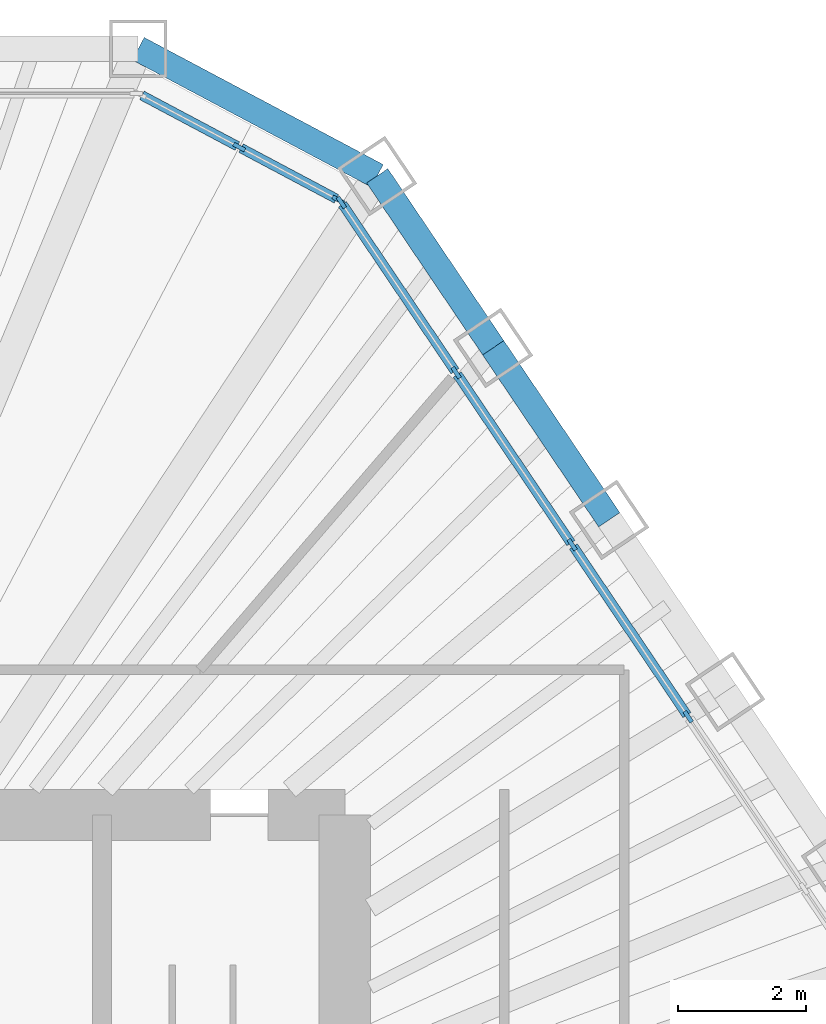
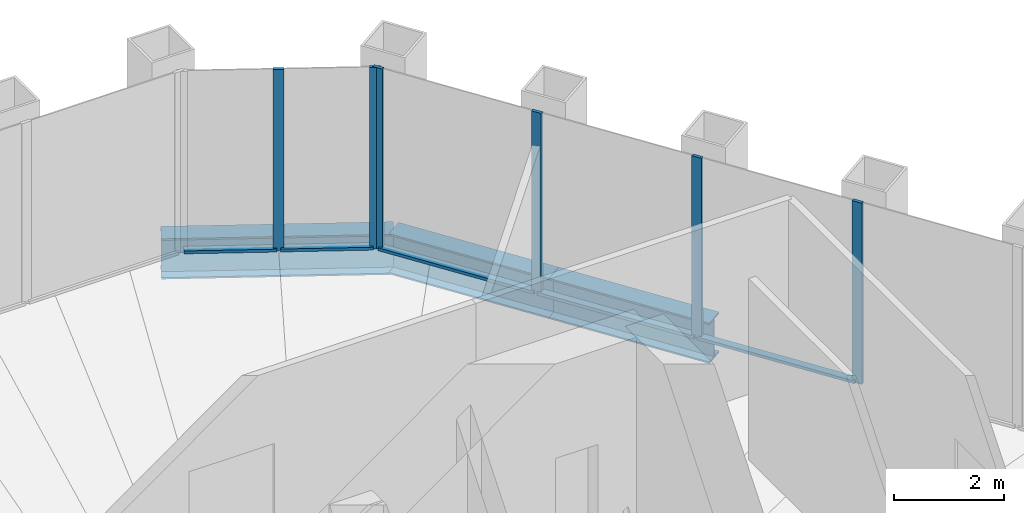
# One storey, part 8 of 14: 11 members, 3 beams, 2 elements without a shape of their own.
"""IFC4 building model written with IfcOpenShell, lengths in metres."""

from ifc_helpers import new_model, si_unit, direction, frame, origin, origin_2d, place, context, subcontext, project, spatial, rectangle, i_section, extrude, material, material_profile, profile_set, type_object, element, aggregate, save


model = new_model("IFC4")

# Units and contexts
model_context = context("Model", 3, precision=1e-05, world=origin(), true_north=direction((0.0, 1.0)))
body_context = subcontext(model_context, "Body", "Model", "MODEL_VIEW")
ifc_project = project(units=[si_unit("LENGTHUNIT", "METRE"), si_unit("AREAUNIT", "SQUARE_METRE"), si_unit("VOLUMEUNIT", "CUBIC_METRE"), si_unit("PLANEANGLEUNIT", "RADIAN"), si_unit("MASSUNIT", "GRAM", prefix="KILO")], contexts=[model_context])

# Site, building, storey
site_placement = place(None, origin())
site = spatial("IfcSite", under=ifc_project, at=site_placement, CompositionType="ELEMENT")
building_placement = place(site_placement, origin())
building = spatial("IfcBuilding", under=site, at=building_placement, Name="Qingtian Harvest Tower", CompositionType="ELEMENT")
storey_placement = place(building_placement, frame((0.0, 0.0, 308.199951171875)))
storey = spatial("IfcBuildingStorey", under=building, at=storey_placement, Name="L68", CompositionType="ELEMENT", Elevation=308.199951171875)

# Curtain wall, members
ifc_material_1 = material(Name="Bronze-anodised aluminium curtain wall", Category="aluminium")
curtain_wall_type = type_object("IfcCurtainWallType", Name="Curtain wall CW5 upper office", PredefinedType="USERDEFINED", material=ifc_material_1)
curtain_wall_1_placement = place(storey_placement, origin())
curtain_wall_1 = element("IfcCurtainWall", 1, at=curtain_wall_1_placement, inside=storey, type_object=curtain_wall_type, Name="Curtain wall CW5 L68 NC", ObjectType="RECESSED CURTAIN WALL", PredefinedType="USERDEFINED")
ifc_material_2 = material(Name="Bronze-anodised aluminium mullion", Category="aluminium")
ifc_material_profile_1 = material_profile(ifc_material_2, rectangle(XDim=0.06494140625, YDim=0.199951171875, at=origin_2d()), Name="AL 65x200")
ifc_profile_set_1 = profile_set([ifc_material_profile_1], Name="Bronze-anodised aluminium mullion")
member_type_1 = type_object("IfcMemberType", Name="Mullion CWM 65x200", PredefinedType="MULLION", material=ifc_profile_set_1)
member_1_placement = place(storey_placement, frame((10.3466796875, 19.45947265625, 0.0), z_axis=(0.0, 0.0, 1.0), x_axis=(0.469471562786, 0.882947592859, 0.0)))
member_1 = element("IfcMember", 2, at=member_1_placement, type_object=member_type_1, Name="CW5 mullion 2", PredefinedType="MULLION", context=body_context, shape_type="SweptSolid", body=[
    extrude(rectangle(XDim=0.06494140625, YDim=0.199951171875, at=origin_2d()), origin(), (0.0, 0.0, 1.0), 4.030029296875),
])
member_2_placement = place(storey_placement, frame((11.89892578125, 18.634033203125, 0.0), z_axis=(0.0, 0.0, 1.0), x_axis=(0.469471562786, 0.882947592859, 0.0)))
member_2 = element("IfcMember", 3, at=member_2_placement, type_object=member_type_1, Name="CW5 mullion 3", PredefinedType="MULLION", context=body_context, shape_type="SweptSolid", body=[
    extrude(rectangle(XDim=0.06494140625, YDim=0.199951171875, at=origin_2d()), origin(), (0.0, 0.0, 1.0), 4.030029296875),
])

curtain_wall_2_placement = place(storey_placement, origin())
curtain_wall_2 = element("IfcCurtainWall", 4, at=curtain_wall_2_placement, inside=storey, type_object=curtain_wall_type, Name="Curtain wall CW5 L68 NE0-5", ObjectType="RECESSED CURTAIN WALL", PredefinedType="USERDEFINED")
member_3_placement = place(storey_placement, frame((11.94580078125, 18.592041015625, 0.0), z_axis=(0.0, 0.0, 1.0), x_axis=(0.829037572555, 0.559192903471, 0.0)))
member_3 = element("IfcMember", 5, at=member_3_placement, type_object=member_type_1, Name="CW5 mullion 1", PredefinedType="MULLION", context=body_context, shape_type="SweptSolid", body=[
    extrude(rectangle(XDim=0.06494140625, YDim=0.199951171875, at=origin_2d()), origin(), (0.0, 0.0, 1.0), 4.030029296875),
])
member_4_placement = place(storey_placement, frame((13.743896484375, 15.926025390625, 0.0), z_axis=(0.0, 0.0, 1.0), x_axis=(0.829037572555, 0.559192903471, 0.0)))
member_4 = element("IfcMember", 6, at=member_4_placement, type_object=member_type_1, Name="CW5 mullion 2", PredefinedType="MULLION", context=body_context, shape_type="SweptSolid", body=[
    extrude(rectangle(XDim=0.06494140625, YDim=0.199951171875, at=origin_2d()), origin(), (0.0, 0.0, 1.0), 4.030029296875),
])
member_5_placement = place(storey_placement, frame((15.56005859375, 13.2333984375, 0.0), z_axis=(0.0, 0.0, 1.0), x_axis=(0.829037572555, 0.559192903471, 0.0)))
member_5 = element("IfcMember", 7, at=member_5_placement, type_object=member_type_1, Name="CW5 mullion 3", PredefinedType="MULLION", context=body_context, shape_type="SweptSolid", body=[
    extrude(rectangle(XDim=0.06494140625, YDim=0.199951171875, at=origin_2d()), origin(), (0.0, 0.0, 1.0), 4.030029296875),
])
member_6_placement = place(storey_placement, frame((17.37646484375, 10.540771484375, 0.0), z_axis=(0.0, 0.0, 1.0), x_axis=(0.829037572555, 0.559192903471, 0.0)))
member_6 = element("IfcMember", 8, at=member_6_placement, type_object=member_type_1, Name="CW5 mullion 4", PredefinedType="MULLION", context=body_context, shape_type="SweptSolid", body=[
    extrude(rectangle(XDim=0.06494140625, YDim=0.199951171875, at=origin_2d()), origin(), (0.0, 0.0, 1.0), 4.030029296875),
])

# Beams
ifc_material_3 = material(Name="Steel SN490B", Category="steel")
ifc_material_profile_2 = material_profile(ifc_material_3, i_section(OverallWidth=0.39990234375, OverallDepth=0.89990234375, WebThickness=0.01904296875, FlangeThickness=0.035888671875, at=origin_2d()), Name="H900x400x19x36")
ifc_profile_set_2 = profile_set([ifc_material_profile_2], Name="Steel SN490B")
beam_type = type_object("IfcBeamType", Name="Spandrel beam SB4 H900x400x19x36", PredefinedType="SPANDREL", material=ifc_profile_set_2)
beam_1_placement = place(storey_placement, frame((8.765869140625, 21.0, -0.449951171875), z_axis=(0.882948599748, -0.469469669099, 0.0), x_axis=(0.469469669099, 0.882948599748, 0.0)))
element("IfcBeam", 9, at=beam_1_placement, inside=storey, type_object=beam_type, Name="Spandrel SB4 NC", PredefinedType="SPANDREL", context=body_context, shape_type="SweptSolid", body=[
    extrude(i_section(OverallWidth=0.39990234375, OverallDepth=0.89990234375, WebThickness=0.01904296875, FlangeThickness=0.035888671875, at=origin_2d()), origin(), (0.0, 0.0, 1.0), 4.23828125),
])
beam_2_placement = place(storey_placement, frame((12.508056640625, 19.01025390625, -0.449951171875), z_axis=(0.559184924833, -0.829042954158, 0.0), x_axis=(0.829042954158, 0.559184924833, 0.0)))
element("IfcBeam", 10, at=beam_2_placement, inside=storey, type_object=beam_type, Name="Spandrel SB4 NE0", PredefinedType="SPANDREL", context=body_context, shape_type="SweptSolid", body=[
    extrude(i_section(OverallWidth=0.39990234375, OverallDepth=0.89990234375, WebThickness=0.01904296875, FlangeThickness=0.035888671875, at=origin_2d()), origin(), (0.0, 0.0, 1.0), 3.247802734375),
])
beam_3_placement = place(storey_placement, frame((14.32421875, 16.317626953125, -0.449951171875), z_axis=(0.559201740147, -0.829031612073, 0.0), x_axis=(0.829031612073, 0.559201740147, 0.0)))
element("IfcBeam", 11, at=beam_3_placement, inside=storey, type_object=beam_type, Name="Spandrel SB4 NE1", PredefinedType="SPANDREL", context=body_context, shape_type="SweptSolid", body=[
    extrude(i_section(OverallWidth=0.39990234375, OverallDepth=0.89990234375, WebThickness=0.01904296875, FlangeThickness=0.035888671875, at=origin_2d()), origin(), (0.0, 0.0, 1.0), 3.248291015625),
])

# Member
ifc_material_4 = material(Name="Bronze-anodised aluminium transom", Category="aluminium")
ifc_material_profile_3 = material_profile(ifc_material_4, rectangle(XDim=0.14990234375, YDim=0.06494140625, at=origin_2d()), Name="AL 65x150")
ifc_profile_set_3 = profile_set([ifc_material_profile_3], Name="Bronze-anodised aluminium transom")
member_type_2 = type_object("IfcMemberType", Name="Transom CWT 65x150", PredefinedType="USERDEFINED", material=ifc_profile_set_3)
member_7_placement = place(storey_placement, frame((8.8232421875, 20.26953125, 0.032470703125), z_axis=(0.882927080927, -0.469510138086, 0.0), x_axis=(0.469510138086, 0.882927080927, 0.0)))
member_7 = element("IfcMember", 12, at=member_7_placement, type_object=member_type_2, Name="CW5 transom 1.1", ObjectType="TRANSOM", PredefinedType="USERDEFINED", context=body_context, shape_type="SweptSolid", body=[
    extrude(rectangle(XDim=0.14990234375, YDim=0.06494140625, at=origin_2d()), origin(), (0.0, 0.0, 1.0), 1.693115234375),
])

member_8_placement = place(storey_placement, frame((10.37548828125, 19.444091796875, 0.032470703125), z_axis=(0.882986854304, -0.469397715297, 0.0), x_axis=(0.469397715297, 0.882986854304, 0.0)))
member_8 = element("IfcMember", 13, at=member_8_placement, type_object=member_type_2, Name="CW5 transom 2.1", ObjectType="TRANSOM", PredefinedType="USERDEFINED", context=body_context, shape_type="SweptSolid", body=[
    extrude(rectangle(XDim=0.14990234375, YDim=0.06494140625, at=origin_2d()), origin(), (0.0, 0.0, 1.0), 1.69287109375),
])

aggregate(curtain_wall_1, [member_1, member_2, member_7, member_8])

member_9_placement = place(storey_placement, frame((11.9638671875, 18.56494140625, 0.032470703125), z_axis=(0.559251907839, -0.828997770551, 0.0), x_axis=(0.828997770551, 0.559251907839, 0.0)))
member_9 = element("IfcMember", 14, at=member_9_placement, type_object=member_type_2, Name="CW5 transom 1.1", ObjectType="TRANSOM", PredefinedType="USERDEFINED", context=body_context, shape_type="SweptSolid", body=[
    extrude(rectangle(XDim=0.14990234375, YDim=0.06494140625, at=origin_2d()), origin(), (0.0, 0.0, 1.0), 3.150634765625),
])

member_10_placement = place(storey_placement, frame((13.761962890625, 15.899169921875, 0.032470703125), z_axis=(0.55920542009, -0.829029129852, 0.0), x_axis=(0.829029129852, 0.55920542009, 0.0)))
member_10 = element("IfcMember", 15, at=member_10_placement, type_object=member_type_2, Name="CW5 transom 2.1", ObjectType="TRANSOM", PredefinedType="USERDEFINED", context=body_context, shape_type="SweptSolid", body=[
    extrude(rectangle(XDim=0.14990234375, YDim=0.06494140625, at=origin_2d()), origin(), (0.0, 0.0, 1.0), 3.18310546875),
])

member_11_placement = place(storey_placement, frame((15.578369140625, 13.20654296875, 0.032470703125), z_axis=(0.55920542009, -0.829029129852, 0.0), x_axis=(0.829029129852, 0.55920542009, 0.0)))
member_11 = element("IfcMember", 16, at=member_11_placement, type_object=member_type_2, Name="CW5 transom 3.1", ObjectType="TRANSOM", PredefinedType="USERDEFINED", context=body_context, shape_type="SweptSolid", body=[
    extrude(rectangle(XDim=0.14990234375, YDim=0.06494140625, at=origin_2d()), origin(), (0.0, 0.0, 1.0), 3.18310546875),
])

aggregate(curtain_wall_2, [member_3, member_4, member_5, member_6, member_9, member_10, member_11])

save(model, "model.ifc")
